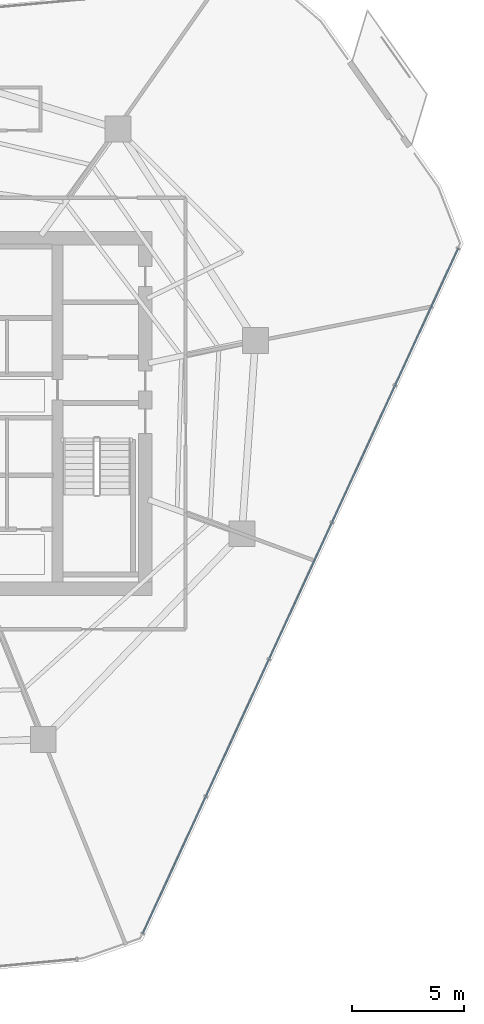
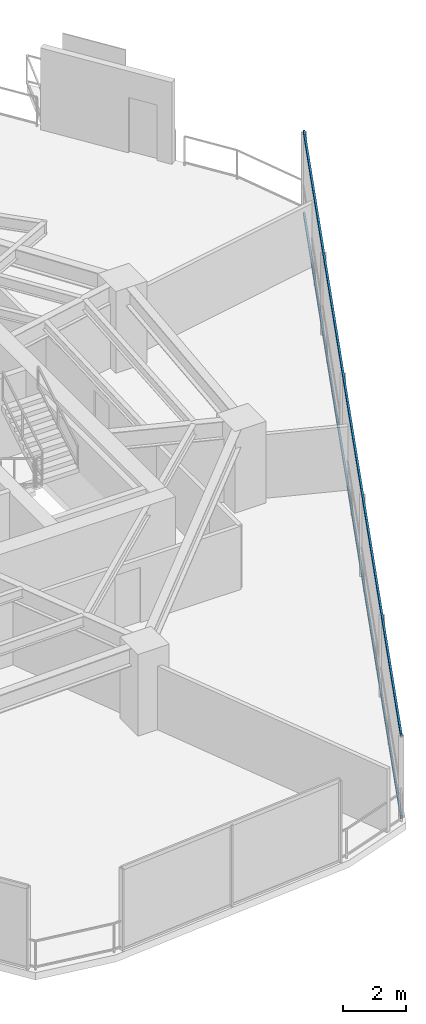
# One storey, part 11 of 30: 2 members, 1 element without a shape of its own.
"""IFC4 building model written with IfcOpenShell, lengths in metres."""

from ifc_helpers import new_model, si_unit, direction, frame, origin, origin_2d, place, context, subcontext, project, spatial, hollow_rectangle, extrude, material, layer, layer_set, material_profile, profile_set, type_object, element, aggregate, save


model = new_model("IFC4")

# Units and contexts
model_context = context("Model", 3, precision=1e-05, world=origin(), true_north=direction((0.0, 1.0)))
body_context = subcontext(model_context, "Body", "Model", "MODEL_VIEW")
ifc_project = project(units=[si_unit("LENGTHUNIT", "METRE"), si_unit("AREAUNIT", "SQUARE_METRE"), si_unit("VOLUMEUNIT", "CUBIC_METRE"), si_unit("PLANEANGLEUNIT", "RADIAN"), si_unit("MASSUNIT", "GRAM", prefix="KILO")], contexts=[model_context])

# Site, building, storey
site_placement = place(None, origin())
site = spatial("IfcSite", under=ifc_project, at=site_placement, CompositionType="ELEMENT")
building_placement = place(site_placement, origin())
building = spatial("IfcBuilding", under=site, at=building_placement, Name="Qarnah Convention Tower", CompositionType="ELEMENT")
storey_placement = place(building_placement, frame((0.0, 0.0, 86.699951171875)))
storey = spatial("IfcBuildingStorey", under=building, at=storey_placement, Name="L22", CompositionType="ELEMENT", Elevation=86.699951171875)

# Curtain wall, members
ifc_material_1 = material(Name="Tempered Low-E dark glass", Category="glass")
ifc_layer = layer(ifc_material_1, 0.169921875)
ifc_layer_set = layer_set([ifc_layer], Name="Tempered Low-E dark glass")
curtain_wall_type = type_object("IfcCurtainWallType", Name="CWS-02", PredefinedType="NOTDEFINED", material=ifc_layer_set)
curtain_wall_placement = place(storey_placement, origin())
curtain_wall = element("IfcCurtainWall", 1, at=curtain_wall_placement, inside=storey, type_object=curtain_wall_type, Name="L22 unitised curtain wall CW-L22-F3", PredefinedType="NOTDEFINED")
ifc_material_2 = material(Name="Black anodised aluminium", Category="aluminium")
ifc_material_profile = material_profile(ifc_material_2, hollow_rectangle(XDim=0.06494140625, YDim=0.14990234375, WallThickness=0.00390625, at=origin_2d()), Name="TRN-65X150")
ifc_profile_set = profile_set([ifc_material_profile], Name="Black anodised aluminium")
member_type = type_object("IfcMemberType", Name="TRN-T2", PredefinedType="USERDEFINED", material=ifc_profile_set)
member_1_placement = place(storey_placement, frame((61.537109375, 33.74609375, 0.0), z_axis=(-0.418222461722, -0.908344633116, 0.0), x_axis=(0.908344633116, -0.418222461722, 0.0)))
member_1 = element("IfcMember", 2, at=member_1_placement, type_object=member_type, Name="CW-L22-F3 transom 1", ObjectType="TRANSOM", PredefinedType="USERDEFINED", context=body_context, shape_type="SweptSolid", body=[
    extrude(hollow_rectangle(XDim=0.06494140625, YDim=0.14990234375, WallThickness=0.00390625, at=origin_2d()), origin(), (0.0, 0.0, 1.0), 33.575439453125),
])
member_2_placement = place(storey_placement, frame((61.537109375, 33.74609375, 3.170166015625), z_axis=(-0.418222461722, -0.908344633116, 0.0), x_axis=(0.908344633116, -0.418222461722, 0.0)))
member_2 = element("IfcMember", 3, at=member_2_placement, type_object=member_type, Name="CW-L22-F3 transom 2", ObjectType="TRANSOM", PredefinedType="USERDEFINED", context=body_context, shape_type="SweptSolid", body=[
    extrude(hollow_rectangle(XDim=0.06494140625, YDim=0.14990234375, WallThickness=0.00390625, at=origin_2d()), origin(), (0.0, 0.0, 1.0), 33.575439453125),
])
aggregate(curtain_wall, [member_1, member_2])

save(model, "model.ifc")
